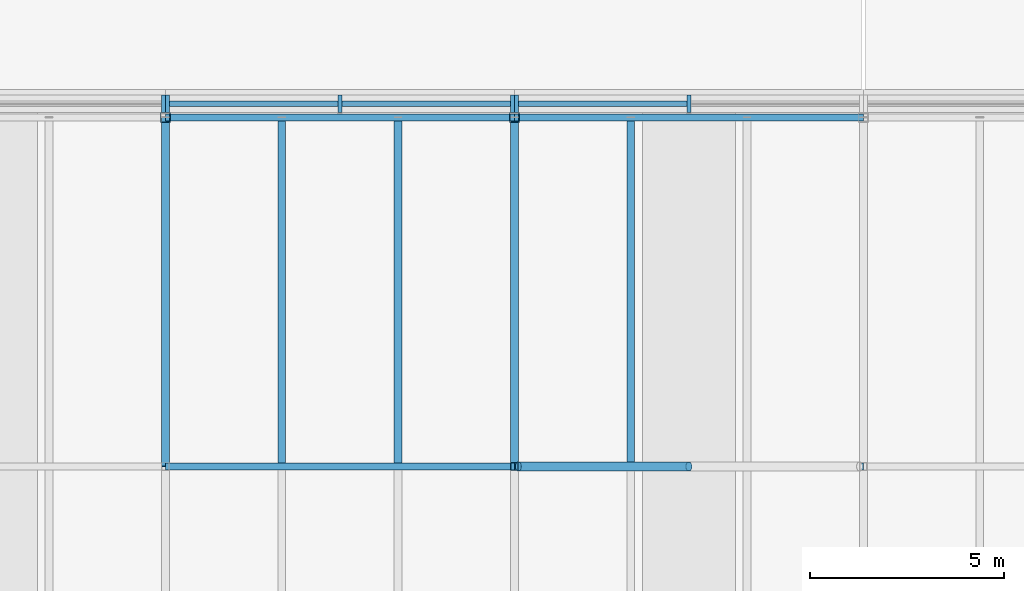
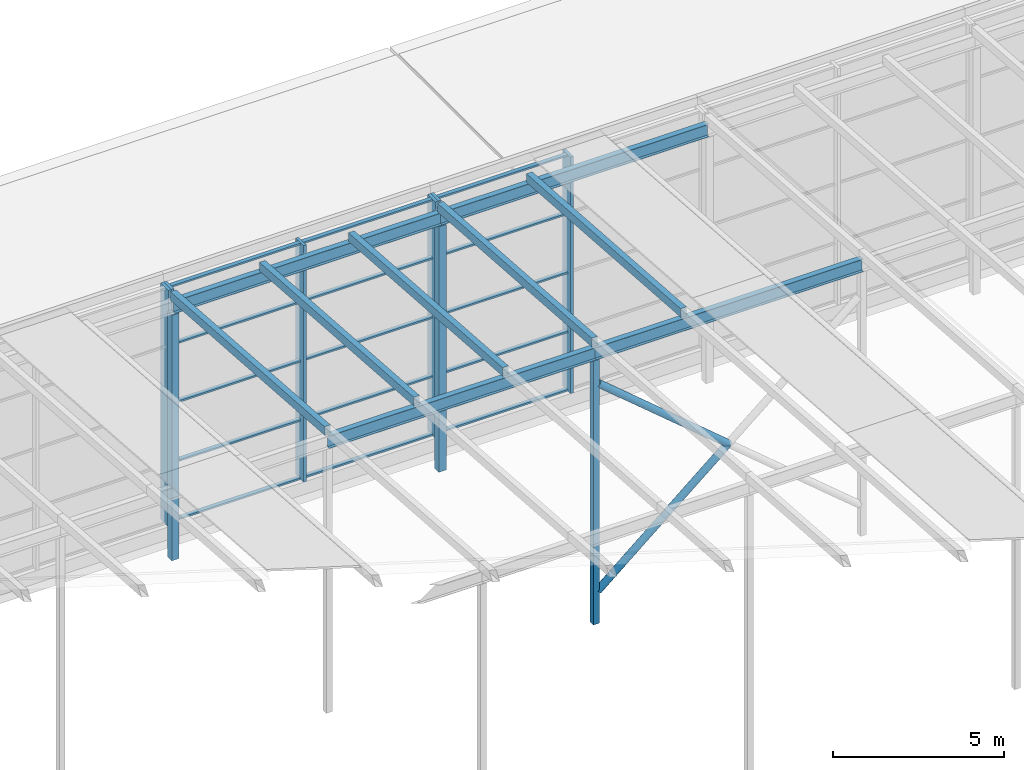
# One storey, part 38 of 84: 31 members, 4 beams, 3 elements without a shape of their own.
"""IFC4 building model written with IfcOpenShell, lengths in metres."""

from ifc_helpers import new_model, si_unit, direction, frame, origin, origin_2d, place, context, subcontext, project, spatial, rectangle, hollow_rectangle, hollow_circle, i_section, extrude, material, material_profile, profile_set, type_object, element, aggregate, save


model = new_model("IFC4")

# Units and contexts
model_context = context("Model", 3, precision=1e-05, world=origin(), true_north=direction((0.0, 1.0)))
body_context = subcontext(model_context, "Body", "Model", "MODEL_VIEW")
ifc_project = project(units=[si_unit("LENGTHUNIT", "METRE"), si_unit("AREAUNIT", "SQUARE_METRE"), si_unit("VOLUMEUNIT", "CUBIC_METRE"), si_unit("PLANEANGLEUNIT", "RADIAN"), si_unit("MASSUNIT", "GRAM", prefix="KILO")], contexts=[model_context])

# Site, building, storey
site_placement = place(None, origin())
site = spatial("IfcSite", under=ifc_project, at=site_placement, CompositionType="ELEMENT")
building_placement = place(site_placement, origin())
building = spatial("IfcBuilding", under=site, at=building_placement, Name="Silverbay Arena", CompositionType="ELEMENT")
storey_placement = place(building_placement, frame((0.0, 0.0, 47.10009765625)))
storey = spatial("IfcBuildingStorey", under=building, at=storey_placement, Name="ROOF", CompositionType="ELEMENT", Elevation=47.10009765625)

# Curtain wall, member
ifc_material_1 = material(Name="Aluminium framed glazing", Category="aluminium")
curtain_wall_type = type_object("IfcCurtainWallType", Name="Curtain wall crown 9000 x 8425", PredefinedType="NOTDEFINED", material=ifc_material_1)
curtain_wall_1_placement = place(storey_placement, origin())
curtain_wall_1 = element("IfcCurtainWall", 1, at=curtain_wall_1_placement, inside=storey, type_object=curtain_wall_type, Name="ROOF CROWN CURTAIN WALL north bay 04", PredefinedType="NOTDEFINED")
ifc_material_2 = material(Name="Aluminium", Category="aluminium")
ifc_material_profile_1 = material_profile(ifc_material_2, rectangle(XDim=0.449951171875, YDim=0.10009765625, at=origin_2d()), Name="Mullion 100 x 450")
ifc_profile_set_1 = profile_set([ifc_material_profile_1], Name="Aluminium")
member_type_1 = type_object("IfcMemberType", Name="Mullion 100 x 450", PredefinedType="MULLION", material=ifc_profile_set_1)
placement = place(building_placement, frame((0.0, 0.0, 33.5)))
member_1_placement = place(placement, frame((116.949951171875, 135.35009765625, 14.050048828125), z_axis=(0.0, 0.0, 1.0), x_axis=(0.0, 1.0, 0.0)))
member_1 = element("IfcMember", 2, at=member_1_placement, type_object=member_type_1, Name="CW62 mullion 3", PredefinedType="MULLION", context=body_context, shape_type="SweptSolid", body=[
    extrude(rectangle(XDim=0.449951171875, YDim=0.10009765625, at=origin_2d()), origin(), (0.0, 0.0, 1.0), 8.424560546875),
])
aggregate(curtain_wall_1, [member_1])

# Curtain wall, members
curtain_wall_2_placement = place(storey_placement, origin())
curtain_wall_2 = element("IfcCurtainWall", 3, at=curtain_wall_2_placement, inside=storey, type_object=curtain_wall_type, Name="ROOF CROWN CURTAIN WALL north bay 05", PredefinedType="NOTDEFINED")
member_2_placement = place(placement, frame((117.050048828125, 135.35009765625, 14.050048828125), z_axis=(0.0, 0.0, 1.0), x_axis=(0.0, 1.0, 0.0)))
member_2 = element("IfcMember", 4, at=member_2_placement, type_object=member_type_1, Name="CW62 mullion 1", PredefinedType="MULLION", context=body_context, shape_type="SweptSolid", body=[
    extrude(rectangle(XDim=0.449951171875, YDim=0.10009765625, at=origin_2d()), origin(), (0.0, 0.0, 1.0), 8.424560546875),
])
member_3_placement = place(placement, frame((121.5, 135.35009765625, 14.050048828125), z_axis=(0.0, 0.0, 1.0), x_axis=(0.0, 1.0, 0.0)))
member_3 = element("IfcMember", 5, at=member_3_placement, type_object=member_type_1, Name="CW62 mullion 2", PredefinedType="MULLION", context=body_context, shape_type="SweptSolid", body=[
    extrude(rectangle(XDim=0.449951171875, YDim=0.10009765625, at=origin_2d()), origin(), (0.0, 0.0, 1.0), 8.424560546875),
])
member_4_placement = place(placement, frame((125.949951171875, 135.35009765625, 14.050048828125), z_axis=(0.0, 0.0, 1.0), x_axis=(0.0, 1.0, 0.0)))
member_4 = element("IfcMember", 6, at=member_4_placement, type_object=member_type_1, Name="CW62 mullion 3", PredefinedType="MULLION", context=body_context, shape_type="SweptSolid", body=[
    extrude(rectangle(XDim=0.449951171875, YDim=0.10009765625, at=origin_2d()), origin(), (0.0, 0.0, 1.0), 8.424560546875),
])

curtain_wall_3_placement = place(storey_placement, origin())
curtain_wall_3 = element("IfcCurtainWall", 7, at=curtain_wall_3_placement, inside=storey, type_object=curtain_wall_type, Name="ROOF CROWN CURTAIN WALL north bay 06", PredefinedType="NOTDEFINED")
member_5_placement = place(placement, frame((126.050048828125, 135.35009765625, 14.050048828125), z_axis=(0.0, 0.0, 1.0), x_axis=(0.0, 1.0, 0.0)))
member_5 = element("IfcMember", 8, at=member_5_placement, type_object=member_type_1, Name="CW62 mullion 1", PredefinedType="MULLION", context=body_context, shape_type="SweptSolid", body=[
    extrude(rectangle(XDim=0.449951171875, YDim=0.10009765625, at=origin_2d()), origin(), (0.0, 0.0, 1.0), 8.424560546875),
])
member_6_placement = place(placement, frame((130.5, 135.35009765625, 14.050048828125), z_axis=(0.0, 0.0, 1.0), x_axis=(0.0, 1.0, 0.0)))
member_6 = element("IfcMember", 9, at=member_6_placement, type_object=member_type_1, Name="CW62 mullion 2", PredefinedType="MULLION", context=body_context, shape_type="SweptSolid", body=[
    extrude(rectangle(XDim=0.449951171875, YDim=0.10009765625, at=origin_2d()), origin(), (0.0, 0.0, 1.0), 8.424560546875),
])

# Members
ifc_material_3 = material(Name="Steel S355", Category="steel")
ifc_material_profile_2 = material_profile(ifc_material_3, hollow_rectangle(XDim=0.199951171875, YDim=0.300048828125, WallThickness=0.00634765625, at=origin_2d()), Name="RHS 300x200x6.3")
ifc_profile_set_2 = profile_set([ifc_material_profile_2], Name="Steel S355")
member_type_2 = type_object("IfcMemberType", Name="Purlin RHS 300x200x6.3", PredefinedType="PURLIN", material=ifc_profile_set_2)
for number, where, z_axis, x_axis, name in (
    (10, (117.0, 126.0, 9.3994140625), (0.0, 0.997402911363, -0.072023832195), (-1.0, 0.0, 0.0), "ROOF PURLIN crown line 13 bay 12"),
    (11, (120.0, 126.0, 9.3994140625), (0.0, 0.997402911363, -0.072023832195), (-1.0, 0.0, 0.0), "ROOF PURLIN crown line 14 bay 12"),
    (12, (123.0, 126.0, 9.3994140625), (0.0, 0.997402911363, -0.072023832195), (-1.0, 0.0, 0.0), "ROOF PURLIN crown line 15 bay 12"),
    (13, (126.0, 126.0, 9.3994140625), (0.0, 0.997402911363, -0.072023832195), (-1.0, 0.0, 0.0), "ROOF PURLIN crown line 16 bay 12"),
    (14, (129.0, 126.0, 9.3994140625), (0.0, 0.997402911363, -0.072023832195), (-1.0, 0.0, 0.0), "ROOF PURLIN crown line 17 bay 12"),
):
    element("IfcMember", number, at=place(storey_placement, frame(where, z_axis=z_axis, x_axis=x_axis)), inside=storey, type_object=member_type_2, Name=name, PredefinedType="PURLIN", context=body_context, shape_type="SweptSolid", body=[
        extrude(hollow_rectangle(XDim=0.199951171875, YDim=0.300048828125, WallThickness=0.00634765625, at=origin_2d()), origin(), (0.0, 0.0, 1.0), 9.0234375),
    ])

# Beams
ifc_material_4 = material(Name="Steel S355", Category="steel")
ifc_material_profile_3 = material_profile(ifc_material_4, i_section(OverallWidth=0.18994140625, OverallDepth=0.453369140625, WebThickness=0.008544921875, FlangeThickness=0.0126953125, at=origin_2d()), Name="UB 457x191x67")
ifc_profile_set_3 = profile_set([ifc_material_profile_3], Name="Steel S355")
beam_type = type_object("IfcBeamType", Name="Ring beam UB 457x191x67", PredefinedType="BEAM", material=ifc_profile_set_3)
for number, where, z_axis, x_axis, name in (
    (15, (117.0, 126.0, 9.0224609375), (1.0, 0.0, 0.0), (0.0, 1.0, 0.0), "RING BEAM crown row 12 14-15"),
    (16, (126.0, 126.0, 9.0224609375), (1.0, 0.0, 0.0), (0.0, 1.0, 0.0), "RING BEAM crown row 12 15-16"),
    (17, (117.0, 135.0, 8.372314453125), (1.0, 0.0, 0.0), (0.0, 1.0, 0.0), "RING BEAM crown row 13 14-15"),
    (18, (126.0, 135.0, 8.372314453125), (1.0, 0.0, 0.0), (0.0, 1.0, 0.0), "RING BEAM crown row 13 15-16"),
):
    element("IfcBeam", number, at=place(storey_placement, frame(where, z_axis=z_axis, x_axis=x_axis)), inside=storey, type_object=beam_type, Name=name, PredefinedType="BEAM", context=body_context, shape_type="SweptSolid", body=[
        extrude(i_section(OverallWidth=0.18994140625, OverallDepth=0.453369140625, WebThickness=0.008544921875, FlangeThickness=0.0126953125, at=origin_2d()), origin(), (0.0, 0.0, 1.0), 9.0),
    ])

# Members
ifc_material_5 = material(Name="Steel S355", Category="steel")
ifc_material_profile_4 = material_profile(ifc_material_5, hollow_rectangle(XDim=0.199951171875, YDim=0.199951171875, WallThickness=0.008056640625, at=origin_2d()), Name="SHS 200x200x8")
ifc_profile_set_4 = profile_set([ifc_material_profile_4], Name="Steel S355")
member_type_3 = type_object("IfcMemberType", Name="Roof post SHS 200x200x8", PredefinedType="POST", material=ifc_profile_set_4)
member_7_placement = place(storey_placement, frame((126.0, 126.0, -0.60009765625), z_axis=(0.0, 0.0, 1.0), x_axis=(1.0, 0.0, 0.0)))
element("IfcMember", 19, at=member_7_placement, inside=storey, type_object=member_type_3, Name="ROOF CROWN POST 15 row 12", PredefinedType="POST", context=body_context, shape_type="SweptSolid", body=[
    extrude(hollow_rectangle(XDim=0.199951171875, YDim=0.199951171875, WallThickness=0.008056640625, at=origin_2d()), origin(), (0.0, 0.0, 1.0), 9.395751953125),
])
ifc_material_6 = material(Name="Steel S355", Category="steel")
ifc_material_profile_5 = material_profile(ifc_material_6, hollow_rectangle(XDim=0.25, YDim=0.25, WallThickness=0.008056640625, at=origin_2d()), Name="SHS 250x250x8")
ifc_profile_set_5 = profile_set([ifc_material_profile_5], Name="Steel S355")
member_type_4 = type_object("IfcMemberType", Name="Roof post SHS 250x250x8", PredefinedType="POST", material=ifc_profile_set_5)
for number, where, z_axis, x_axis, name in (
    (20, (117.0, 135.0, -0.60009765625), (0.0, 0.0, 1.0), (1.0, 0.0, 0.0), "ROOF CROWN POST 14 row 13"),
    (21, (126.0, 135.0, -0.60009765625), (0.0, 0.0, 1.0), (1.0, 0.0, 0.0), "ROOF CROWN POST 15 row 13"),
):
    element("IfcMember", number, at=place(storey_placement, frame(where, z_axis=z_axis, x_axis=x_axis)), inside=storey, type_object=member_type_4, Name=name, PredefinedType="POST", context=body_context, shape_type="SweptSolid", body=[
        extrude(hollow_rectangle(XDim=0.25, YDim=0.25, WallThickness=0.008056640625, at=origin_2d()), origin(), (0.0, 0.0, 1.0), 8.745849609375),
    ])

# Member
ifc_material_7 = material(Name="Aluminium", Category="aluminium")
ifc_material_profile_6 = material_profile(ifc_material_7, rectangle(XDim=0.139892578125, YDim=0.06005859375, at=origin_2d()), Name="Transom 60 x 140")
ifc_profile_set_6 = profile_set([ifc_material_profile_6], Name="Aluminium")
member_type_5 = type_object("IfcMemberType", Name="Transom 60 x 140", PredefinedType="USERDEFINED", material=ifc_profile_set_6)
member_8_placement = place(placement, frame((117.10009765625, 135.35009765625, 14.080078125), z_axis=(1.0, 0.0, 0.0), x_axis=(0.0, 1.0, 0.0)))
member_8 = element("IfcMember", 22, at=member_8_placement, type_object=member_type_5, Name="CW62 transom 1.1", ObjectType="TRANSOM", PredefinedType="USERDEFINED", context=body_context, shape_type="SweptSolid", body=[
    extrude(rectangle(XDim=0.139892578125, YDim=0.06005859375, at=origin_2d()), origin(), (0.0, 0.0, 1.0), 4.349853515625),
])

member_9_placement = place(placement, frame((117.10009765625, 135.35009765625, 16.15625), z_axis=(1.0, 0.0, 0.0), x_axis=(0.0, 1.0, 0.0)))
member_9 = element("IfcMember", 23, at=member_9_placement, type_object=member_type_5, Name="CW62 transom 1.2", ObjectType="TRANSOM", PredefinedType="USERDEFINED", context=body_context, shape_type="SweptSolid", body=[
    extrude(rectangle(XDim=0.139892578125, YDim=0.06005859375, at=origin_2d()), origin(), (0.0, 0.0, 1.0), 4.349853515625),
])

member_10_placement = place(placement, frame((117.10009765625, 135.35009765625, 18.262451171875), z_axis=(1.0, 0.0, 0.0), x_axis=(0.0, 1.0, 0.0)))
member_10 = element("IfcMember", 24, at=member_10_placement, type_object=member_type_5, Name="CW62 transom 1.3", ObjectType="TRANSOM", PredefinedType="USERDEFINED", context=body_context, shape_type="SweptSolid", body=[
    extrude(rectangle(XDim=0.139892578125, YDim=0.06005859375, at=origin_2d()), origin(), (0.0, 0.0, 1.0), 4.349853515625),
])

member_11_placement = place(placement, frame((117.10009765625, 135.35009765625, 20.36865234375), z_axis=(1.0, 0.0, 0.0), x_axis=(0.0, 1.0, 0.0)))
member_11 = element("IfcMember", 25, at=member_11_placement, type_object=member_type_5, Name="CW62 transom 1.4", ObjectType="TRANSOM", PredefinedType="USERDEFINED", context=body_context, shape_type="SweptSolid", body=[
    extrude(rectangle(XDim=0.139892578125, YDim=0.06005859375, at=origin_2d()), origin(), (0.0, 0.0, 1.0), 4.349853515625),
])

member_12_placement = place(placement, frame((117.10009765625, 135.35009765625, 22.44482421875), z_axis=(1.0, 0.0, 0.0), x_axis=(0.0, 1.0, 0.0)))
member_12 = element("IfcMember", 26, at=member_12_placement, type_object=member_type_5, Name="CW62 transom 1.5", ObjectType="TRANSOM", PredefinedType="USERDEFINED", context=body_context, shape_type="SweptSolid", body=[
    extrude(rectangle(XDim=0.139892578125, YDim=0.06005859375, at=origin_2d()), origin(), (0.0, 0.0, 1.0), 4.349853515625),
])

member_13_placement = place(placement, frame((121.550048828125, 135.35009765625, 14.080078125), z_axis=(1.0, 0.0, 0.0), x_axis=(0.0, 1.0, 0.0)))
member_13 = element("IfcMember", 27, at=member_13_placement, type_object=member_type_5, Name="CW62 transom 2.1", ObjectType="TRANSOM", PredefinedType="USERDEFINED", context=body_context, shape_type="SweptSolid", body=[
    extrude(rectangle(XDim=0.139892578125, YDim=0.06005859375, at=origin_2d()), origin(), (0.0, 0.0, 1.0), 4.349853515625),
])

member_14_placement = place(placement, frame((121.550048828125, 135.35009765625, 16.15625), z_axis=(1.0, 0.0, 0.0), x_axis=(0.0, 1.0, 0.0)))
member_14 = element("IfcMember", 28, at=member_14_placement, type_object=member_type_5, Name="CW62 transom 2.2", ObjectType="TRANSOM", PredefinedType="USERDEFINED", context=body_context, shape_type="SweptSolid", body=[
    extrude(rectangle(XDim=0.139892578125, YDim=0.06005859375, at=origin_2d()), origin(), (0.0, 0.0, 1.0), 4.349853515625),
])

member_15_placement = place(placement, frame((121.550048828125, 135.35009765625, 18.262451171875), z_axis=(1.0, 0.0, 0.0), x_axis=(0.0, 1.0, 0.0)))
member_15 = element("IfcMember", 29, at=member_15_placement, type_object=member_type_5, Name="CW62 transom 2.3", ObjectType="TRANSOM", PredefinedType="USERDEFINED", context=body_context, shape_type="SweptSolid", body=[
    extrude(rectangle(XDim=0.139892578125, YDim=0.06005859375, at=origin_2d()), origin(), (0.0, 0.0, 1.0), 4.349853515625),
])

member_16_placement = place(placement, frame((121.550048828125, 135.35009765625, 20.36865234375), z_axis=(1.0, 0.0, 0.0), x_axis=(0.0, 1.0, 0.0)))
member_16 = element("IfcMember", 30, at=member_16_placement, type_object=member_type_5, Name="CW62 transom 2.4", ObjectType="TRANSOM", PredefinedType="USERDEFINED", context=body_context, shape_type="SweptSolid", body=[
    extrude(rectangle(XDim=0.139892578125, YDim=0.06005859375, at=origin_2d()), origin(), (0.0, 0.0, 1.0), 4.349853515625),
])

member_17_placement = place(placement, frame((121.550048828125, 135.35009765625, 22.44482421875), z_axis=(1.0, 0.0, 0.0), x_axis=(0.0, 1.0, 0.0)))
member_17 = element("IfcMember", 31, at=member_17_placement, type_object=member_type_5, Name="CW62 transom 2.5", ObjectType="TRANSOM", PredefinedType="USERDEFINED", context=body_context, shape_type="SweptSolid", body=[
    extrude(rectangle(XDim=0.139892578125, YDim=0.06005859375, at=origin_2d()), origin(), (0.0, 0.0, 1.0), 4.349853515625),
])

aggregate(curtain_wall_2, [member_2, member_3, member_4, member_8, member_9, member_10, member_11, member_12, member_13, member_14, member_15, member_16, member_17])

member_18_placement = place(placement, frame((126.10009765625, 135.35009765625, 14.080078125), z_axis=(1.0, 0.0, 0.0), x_axis=(0.0, 1.0, 0.0)))
member_18 = element("IfcMember", 32, at=member_18_placement, type_object=member_type_5, Name="CW62 transom 1.1", ObjectType="TRANSOM", PredefinedType="USERDEFINED", context=body_context, shape_type="SweptSolid", body=[
    extrude(rectangle(XDim=0.139892578125, YDim=0.06005859375, at=origin_2d()), origin(), (0.0, 0.0, 1.0), 4.349853515625),
])

member_19_placement = place(placement, frame((126.10009765625, 135.35009765625, 16.15625), z_axis=(1.0, 0.0, 0.0), x_axis=(0.0, 1.0, 0.0)))
member_19 = element("IfcMember", 33, at=member_19_placement, type_object=member_type_5, Name="CW62 transom 1.2", ObjectType="TRANSOM", PredefinedType="USERDEFINED", context=body_context, shape_type="SweptSolid", body=[
    extrude(rectangle(XDim=0.139892578125, YDim=0.06005859375, at=origin_2d()), origin(), (0.0, 0.0, 1.0), 4.349853515625),
])

member_20_placement = place(placement, frame((126.10009765625, 135.35009765625, 18.262451171875), z_axis=(1.0, 0.0, 0.0), x_axis=(0.0, 1.0, 0.0)))
member_20 = element("IfcMember", 34, at=member_20_placement, type_object=member_type_5, Name="CW62 transom 1.3", ObjectType="TRANSOM", PredefinedType="USERDEFINED", context=body_context, shape_type="SweptSolid", body=[
    extrude(rectangle(XDim=0.139892578125, YDim=0.06005859375, at=origin_2d()), origin(), (0.0, 0.0, 1.0), 4.349853515625),
])

member_21_placement = place(placement, frame((126.10009765625, 135.35009765625, 20.36865234375), z_axis=(1.0, 0.0, 0.0), x_axis=(0.0, 1.0, 0.0)))
member_21 = element("IfcMember", 35, at=member_21_placement, type_object=member_type_5, Name="CW62 transom 1.4", ObjectType="TRANSOM", PredefinedType="USERDEFINED", context=body_context, shape_type="SweptSolid", body=[
    extrude(rectangle(XDim=0.139892578125, YDim=0.06005859375, at=origin_2d()), origin(), (0.0, 0.0, 1.0), 4.349853515625),
])

member_22_placement = place(placement, frame((126.10009765625, 135.35009765625, 22.44482421875), z_axis=(1.0, 0.0, 0.0), x_axis=(0.0, 1.0, 0.0)))
member_22 = element("IfcMember", 36, at=member_22_placement, type_object=member_type_5, Name="CW62 transom 1.5", ObjectType="TRANSOM", PredefinedType="USERDEFINED", context=body_context, shape_type="SweptSolid", body=[
    extrude(rectangle(XDim=0.139892578125, YDim=0.06005859375, at=origin_2d()), origin(), (0.0, 0.0, 1.0), 4.349853515625),
])

aggregate(curtain_wall_3, [member_5, member_6, member_18, member_19, member_20, member_21, member_22])

# Members
ifc_material_8 = material(Name="Steel S355", Category="steel")
ifc_material_profile_7 = material_profile(ifc_material_8, hollow_circle(Radius=0.122314453125, WallThickness=0.00634765625, at=origin_2d()), Name="CHS 244.5x6.3")
ifc_profile_set_7 = profile_set([ifc_material_profile_7], Name="Steel S355")
member_type_6 = type_object("IfcMemberType", Name="Vertical bracing CHS 244.5x6.3", PredefinedType="BRACE", material=ifc_profile_set_7)
member_23_placement = place(storey_placement, frame((126.10009765625, 126.0, 0.5), z_axis=(0.765547520012, 0.0, 0.643379355127), x_axis=(0.0, 1.0, 0.0)))
element("IfcMember", 37, at=member_23_placement, inside=storey, type_object=member_type_6, Name="ROOF CROWN BRACING N bay 06 Aa", PredefinedType="BRACE", context=body_context, shape_type="SweptSolid", body=[
    extrude(hollow_circle(Radius=0.122314453125, WallThickness=0.00634765625, at=origin_2d()), origin(), (0.0, 0.0, 1.0), 5.747314453125),
])
member_24_placement = place(storey_placement, frame((126.10009765625, 126.0, 7.895751953125), z_axis=(0.765526597926, 0.0, -0.643404249184), x_axis=(0.0, 1.0, 0.0)))
element("IfcMember", 38, at=member_24_placement, inside=storey, type_object=member_type_6, Name="ROOF CROWN BRACING N bay 06 Ba", PredefinedType="BRACE", context=body_context, shape_type="SweptSolid", body=[
    extrude(hollow_circle(Radius=0.122314453125, WallThickness=0.00634765625, at=origin_2d()), origin(), (0.0, 0.0, 1.0), 5.74755859375),
])

save(model, "model.ifc")
